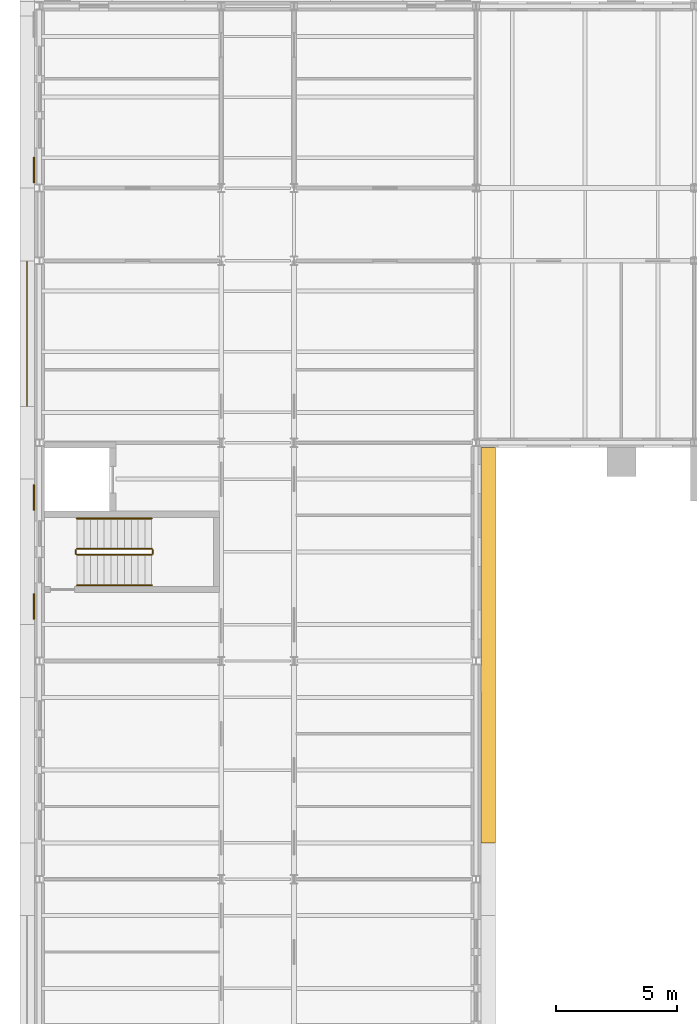
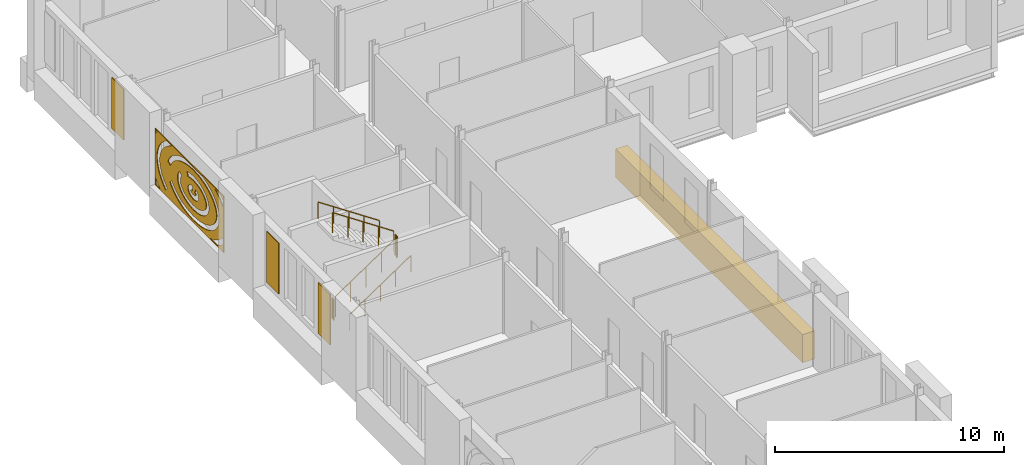
# One storey, part 119 of 134: 6 railings, 5 coverings.
"""IFC4 building model written with IfcOpenShell, lengths in metres."""

from ifc_helpers import new_model, si_unit, direction, frame, origin, origin_2d, place, context, subcontext, project, spatial, polyline, circle, outline, extrude, material, layer, layer_set, type_object, element, save


model = new_model("IFC4")

# Units and contexts
model_context = context("Model", 3, precision=1e-05, world=origin(), true_north=direction((0.0, 1.0)))
body_context = subcontext(model_context, "Body", "Model", "MODEL_VIEW")
ifc_project = project(units=[si_unit("LENGTHUNIT", "METRE"), si_unit("AREAUNIT", "SQUARE_METRE"), si_unit("VOLUMEUNIT", "CUBIC_METRE"), si_unit("PLANEANGLEUNIT", "RADIAN"), si_unit("MASSUNIT", "GRAM", prefix="KILO")], contexts=[model_context])

# Site, building, storey
site_placement = place(None, origin())
site = spatial("IfcSite", under=ifc_project, at=site_placement, CompositionType="ELEMENT")
building_placement = place(site_placement, origin())
building = spatial("IfcBuilding", under=site, at=building_placement, Name="Golden Quay Civic Hall", CompositionType="ELEMENT")
storey_placement = place(building_placement, frame((0.0, 0.0, 5.39990234375)))
storey = spatial("IfcBuildingStorey", under=building, at=storey_placement, Name="L01", CompositionType="ELEMENT", Elevation=5.39990234375)

# Covering
ifc_material_1 = material(Name="Aluminium, golden anodised, perforated", Category="aluminium")
ifc_layer_1 = layer(ifc_material_1, 0.0400390625)
ifc_layer_set_1 = layer_set([ifc_layer_1], Name="Perforated screen panel 6000 x 3000 x 40")
covering_type_1 = type_object("IfcCoveringType", Name="Perforated screen panel 6000 x 3000 x 40", PredefinedType="CLADDING", material=ifc_layer_set_1)
covering_1_placement = place(storey_placement, frame((-0.5, 67.5, 2.10009765625), z_axis=(-1.0, 0.0, 0.0), x_axis=(0.0, -1.0, 0.0)))
element("IfcCovering", 1, at=covering_1_placement, inside=storey, type_object=covering_type_1, Name="Perforated screen panel 6000 x 3000 x 40 L01 3", PredefinedType="CLADDING", context=body_context, shape_type="SweptSolid", body=[
    extrude(outline(polyline([(-3.0, -1.5), (3.0, -1.5), (3.0, 1.5), (-3.0, 1.5), (-3.0, -1.5)]), holes=[polyline([(0.258056640625, 0.16650390625), (0.1943359375, 0.14599609375), (0.162109375, 0.12841796875), (0.139404296875, 0.110595703125), (0.126708984375, 0.095458984375), (0.120849609375, 0.080078125), (0.1259765625, 0.065673828125), (0.1376953125, 0.051025390625), (0.174072265625, 0.0244140625), (0.210205078125, 0.007568359375), (0.277587890625, -0.010498046875), (0.327880859375, -0.015869140625), (0.379150390625, -0.015380859375), (0.45263671875, -0.004150390625), (0.495361328125, 0.009765625), (0.544189453125, 0.035888671875), (0.564453125, 0.05322265625), (0.574951171875, 0.0673828125), (0.5791015625, 0.07861328125), (0.57568359375, 0.09130859375), (0.55810546875, 0.11279296875), (0.5341796875, 0.130859375), (0.4765625, 0.1572265625), (0.562744140625, 0.38232421875), (0.633056640625, 0.351806640625), (0.68798828125, 0.317626953125), (0.742431640625, 0.269287109375), (0.77392578125, 0.22900390625), (0.801513671875, 0.176513671875), (0.816650390625, 0.123291015625), (0.81982421875, 0.064697265625), (0.810302734375, 0.009521484375), (0.797607421875, -0.02587890625), (0.780517578125, -0.05859375), (0.759765625, -0.0888671875), (0.735595703125, -0.1162109375), (0.708984375, -0.14111328125), (0.6572265625, -0.177978515625), (0.581298828125, -0.21533203125), (0.54541015625, -0.22802734375), (0.477294921875, -0.245361328125), (0.3916015625, -0.256103515625), (0.319091796875, -0.256591796875), (0.272705078125, -0.2529296875), (0.2021484375, -0.240966796875), (0.164794921875, -0.231201171875), (0.093505859375, -0.20458984375), (0.0283203125, -0.1689453125), (-0.02880859375, -0.123291015625), (-0.06201171875, -0.085693359375), (-0.093505859375, -0.034912109375), (-0.1123046875, 0.016357421875), (-0.1201171875, 0.074462890625), (-0.115234375, 0.130615234375), (-0.097412109375, 0.186767578125), (-0.0712890625, 0.23291015625), (-0.03271484375, 0.279296875), (0.025390625, 0.326904296875), (0.066162109375, 0.351318359375), (0.135009765625, 0.381591796875), (0.201904296875, 0.40087890625), (0.27978515625, 0.413818359375), (0.310546875, 0.1748046875), (0.258056640625, 0.16650390625)]), polyline([(-0.724609375, 0.27685546875), (-0.746826171875, 0.232421875), (-0.76318359375, 0.187744140625), (-0.773681640625, 0.143310546875), (-0.77880859375, 0.09912109375), (-0.778564453125, 0.05517578125), (-0.772705078125, 0.010986328125), (-0.761474609375, -0.033447265625), (-0.744384765625, -0.078125), (-0.721435546875, -0.122802734375), (-0.6923828125, -0.167236328125), (-0.6572265625, -0.211181640625), (-0.61572265625, -0.254150390625), (-0.568603515625, -0.2958984375), (-0.515380859375, -0.3359375), (-0.456787109375, -0.373779296875), (-0.392822265625, -0.409423828125), (-0.32421875, -0.44189453125), (-0.251220703125, -0.4716796875), (-0.17431640625, -0.497802734375), (-0.093994140625, -0.5205078125), (-0.010986328125, -0.539306640625), (0.07470703125, -0.55419921875), (0.161865234375, -0.565185546875), (0.250244140625, -0.572021484375), (0.339599609375, -0.574462890625), (0.4287109375, -0.572998046875), (0.517333984375, -0.567138671875), (0.60498046875, -0.55712890625), (0.69091796875, -0.543212890625), (0.774658203125, -0.525146484375), (0.855712890625, -0.50341796875), (0.933349609375, -0.47802734375), (1.00732421875, -0.44921875), (1.0771484375, -0.417236328125), (1.14208984375, -0.382568359375), (1.201904296875, -0.34521484375), (1.256591796875, -0.305419921875), (1.30517578125, -0.26416015625), (1.347900390625, -0.221435546875), (1.384521484375, -0.177490234375), (1.4150390625, -0.13330078125), (1.439453125, -0.088623046875), (1.4580078125, -0.0439453125), (1.470458984375, 0.00048828125), (1.4775390625, 0.044677734375), (1.479248046875, 0.0888671875), (1.475341796875, 0.1328125), (1.46630859375, 0.17724609375), (1.451171875, 0.2216796875), (1.430419921875, 0.266357421875), (1.40380859375, 0.310791015625), (1.370849609375, 0.35498046875), (1.331787109375, 0.3984375), (1.28662109375, 0.44091796875), (1.235595703125, 0.4814453125), (1.178955078125, 0.520263671875), (1.116943359375, 0.556640625), (1.0498046875, 0.59033203125), (0.978515625, 0.62109375), (0.90283203125, 0.648681640625), (0.82373046875, 0.672607421875), (0.74169921875, 0.69287109375), (0.656982421875, 0.709228515625), (0.5703125, 0.7216796875), (0.482177734375, 0.72998046875), (0.393310546875, 0.73388671875), (0.303955078125, 0.73388671875), (0.215087890625, 0.729736328125), (0.126953125, 0.72119140625), (0.040283203125, 0.708740234375), (-0.044189453125, 0.692138671875), (-0.12939453125, 0.671142578125), (-0.1875, 0.90478515625), (-0.093505859375, 0.927978515625), (0.0029296875, 0.94677734375), (0.101318359375, 0.960693359375), (0.195068359375, 0.9697265625), (0.29541015625, 0.974609375), (0.39599609375, 0.974853515625), (0.49609375, 0.970458984375), (0.595703125, 0.961181640625), (0.69970703125, 0.9462890625), (0.790283203125, 0.9287109375), (0.884521484375, 0.90576171875), (0.975830078125, 0.878173828125), (1.0703125, 0.84375), (1.1484375, 0.810302734375), (1.228759765625, 0.77001953125), (1.304443359375, 0.725830078125), (1.375244140625, 0.677978515625), (1.4404296875, 0.626220703125), (1.50732421875, 0.5634765625), (1.560546875, 0.50341796875), (1.600341796875, 0.4501953125), (1.64013671875, 0.385009765625), (1.672607421875, 0.317138671875), (1.700439453125, 0.2333984375), (1.71484375, 0.16064453125), (1.72021484375, 0.08740234375), (1.716552734375, 0.013916015625), (1.7041015625, -0.05859375), (1.68310546875, -0.129638671875), (1.65966796875, -0.1865234375), (1.62353515625, -0.254150390625), (1.572998046875, -0.327880859375), (1.522216796875, -0.387939453125), (1.46484375, -0.444580078125), (1.408935546875, -0.4921875), (1.333251953125, -0.54736328125), (1.259521484375, -0.593017578125), (1.1875, -0.63134765625), (1.09814453125, -0.672607421875), (1.011474609375, -0.7060546875), (0.921142578125, -0.7353515625), (0.833984375, -0.7587890625), (0.732666015625, -0.780517578125), (0.635009765625, -0.796142578125), (0.54150390625, -0.806884765625), (0.435791015625, -0.813720703125), (0.341064453125, -0.8154296875), (0.240478515625, -0.8125), (0.135009765625, -0.804443359375), (0.041748046875, -0.79296875), (-0.055419921875, -0.776123046875), (-0.150390625, -0.754638671875), (-0.242919921875, -0.728759765625), (-0.33837890625, -0.696044921875), (-0.41796875, -0.6640625), (-0.499755859375, -0.625244140625), (-0.583984375, -0.578369140625), (-0.64990234375, -0.535888671875), (-0.71728515625, -0.485595703125), (-0.7861328125, -0.424560546875), (-0.834716796875, -0.3740234375), (-0.884033203125, -0.313232421875), (-0.9326171875, -0.23828125), (-0.961669921875, -0.182373046875), (-0.989013671875, -0.113037109375), (-1.010498046875, -0.027587890625), (-1.018310546875, 0.031005859375), (-1.019775390625, 0.1044921875), (-1.009765625, 0.192138671875), (-0.99169921875, 0.263916015625), (-0.970703125, 0.3212890625), (-0.931396484375, 0.400634765625), (-0.889892578125, 0.465087890625), (-0.8486328125, 0.51806640625), (-0.65869140625, 0.36962890625), (-0.696533203125, 0.3212890625), (-0.724609375, 0.27685546875)]), polyline([(-1.382568359375, -0.546630859375), (-1.3115234375, -0.611572265625), (-1.2333984375, -0.673828125), (-1.1484375, -0.7333984375), (-1.05712890625, -0.789794921875), (-0.959716796875, -0.843017578125), (-0.856201171875, -0.89208984375), (-0.747802734375, -0.937255859375), (-0.634521484375, -0.978271484375), (-0.51708984375, -1.0146484375), (-0.3955078125, -1.04638671875), (-0.27099609375, -1.073486328125), (-0.143798828125, -1.095703125), (-0.014404296875, -1.112548828125), (0.11669921875, -1.12451171875), (0.248779296875, -1.131103515625), (0.38134765625, -1.13232421875), (0.513671875, -1.12841796875), (0.645263671875, -1.119384765625), (0.775634765625, -1.105224609375), (0.904052734375, -1.085693359375), (1.0302734375, -1.061279296875), (1.1533203125, -1.031982421875), (1.27294921875, -0.998046875), (1.388671875, -0.95947265625), (1.499755859375, -0.91650390625), (1.605712890625, -0.869384765625), (1.706298828125, -0.818359375), (1.801025390625, -0.763671875), (1.889404296875, -0.705810546875), (1.97119140625, -0.644775390625), (2.0458984375, -0.581298828125), (2.113525390625, -0.51513671875), (2.173583984375, -0.447509765625), (2.22607421875, -0.3779296875), (2.270751953125, -0.307373046875), (2.3076171875, -0.236083984375), (2.3369140625, -0.163818359375), (2.3583984375, -0.091552734375), (2.37255859375, -0.018798828125), (2.37890625, 0.0537109375), (2.3779296875, 0.12646484375), (2.369384765625, 0.19921875), (2.353271484375, 0.271728515625), (2.32958984375, 0.343994140625), (2.298095703125, 0.416015625), (2.259033203125, 0.4873046875), (2.212158203125, 0.5576171875), (2.157470703125, 0.62646484375), (2.095458984375, 0.69384765625), (2.02587890625, 0.75927734375), (1.94921875, 0.822021484375), (1.865478515625, 0.882080078125), (1.775146484375, 0.939208984375), (1.6787109375, 0.992919921875), (1.57666015625, 1.04296875), (1.468994140625, 1.0888671875), (1.356689453125, 1.130615234375), (1.239990234375, 1.168212890625), (1.119384765625, 1.20068359375), (0.995361328125, 1.228759765625), (0.868408203125, 1.251708984375), (0.739501953125, 1.269775390625), (0.608642578125, 1.282470703125), (0.476806640625, 1.2900390625), (0.34423828125, 1.29248046875), (0.2119140625, 1.289794921875), (0.080078125, 1.281494140625), (-0.05078125, 1.268310546875), (-0.1796875, 1.25), (-0.30615234375, 1.2265625), (-0.429931640625, 1.197998046875), (-0.55029296875, 1.1650390625), (-0.666748046875, 1.127197265625), (-0.77880859375, 1.085205078125), (-0.8857421875, 1.038818359375), (-0.9873046875, 0.988525390625), (-1.083251953125, 0.9345703125), (-1.173095703125, 0.877197265625), (-1.256103515625, 0.816650390625), (-1.33203125, 0.753662109375), (-1.401123046875, 0.68798828125), (-1.462646484375, 0.62060546875), (-1.5166015625, 0.551513671875), (-1.562744140625, 0.481201171875), (-1.60107421875, 0.409912109375), (-1.634033203125, 0.33251953125), (-1.855712890625, 0.42724609375), (-1.81591796875, 0.519287109375), (-1.766845703125, 0.60888671875), (-1.70947265625, 0.69580078125), (-1.649658203125, 0.7724609375), (-1.576171875, 0.853515625), (-1.4951171875, 0.930908203125), (-1.40673828125, 1.004638671875), (-1.311767578125, 1.07421875), (-1.210205078125, 1.13916015625), (-1.102783203125, 1.199951171875), (-0.98974609375, 1.256103515625), (-0.87158203125, 1.307373046875), (-0.748779296875, 1.353759765625), (-0.6220703125, 1.39501953125), (-0.452880859375, 1.43994140625), (1.153564453125, 1.43994140625), (1.310791015625, 1.398193359375), (1.432861328125, 1.359375), (1.555908203125, 1.313720703125), (1.67431640625, 1.26318359375), (1.78759765625, 1.2080078125), (1.895263671875, 1.148193359375), (1.997314453125, 1.083984375), (2.0927734375, 1.015380859375), (2.181640625, 0.94287109375), (2.269287109375, 0.8603515625), (2.337646484375, 0.78662109375), (2.404052734375, 0.703125), (2.46240234375, 0.61669921875), (2.511962890625, 0.527099609375), (2.556640625, 0.424560546875), (2.583984375, 0.34130859375), (2.605712890625, 0.245361328125), (2.61865234375, 0.13623046875), (2.619384765625, 0.038818359375), (2.610107421875, -0.058349609375), (2.591064453125, -0.154541015625), (2.566162109375, -0.23828125), (2.52880859375, -0.331787109375), (2.47705078125, -0.431884765625), (2.421142578125, -0.519287109375), (2.36279296875, -0.596435546875), (2.284912109375, -0.6845703125), (2.205078125, -0.761962890625), (2.118408203125, -0.835693359375), (2.030517578125, -0.90087890625), (1.92431640625, -0.970703125), (1.818115234375, -1.03173828125), (1.706298828125, -1.08837890625), (1.5947265625, -1.1376953125), (1.467529296875, -1.18701171875), (1.341552734375, -1.22900390625), (1.216796875, -1.264404296875), (1.07861328125, -1.29736328125), (0.9423828125, -1.323486328125), (0.80908203125, -1.34375), (0.664306640625, -1.359619140625), (0.52294921875, -1.369140625), (0.385986328125, -1.373291015625), (0.239013671875, -1.37158203125), (0.102294921875, -1.36474609375), (-0.038330078125, -1.352294921875), (-0.182373046875, -1.33349609375), (-0.314697265625, -1.310546875), (-0.44921875, -1.281494140625), (-0.585693359375, -1.24560546875), (-0.70849609375, -1.20751953125), (-0.83251953125, -1.162841796875), (-0.957275390625, -1.11083984375), (-1.066162109375, -1.05908203125), (-1.175048828125, -1.0), (-1.278076171875, -0.9365234375), (-1.375, -0.868896484375), (-1.47119140625, -0.7919921875), (-1.548095703125, -0.7216796875), (-1.623779296875, -0.64208984375), (-1.69189453125, -0.5595703125), (-1.505126953125, -0.4072265625), (-1.446044921875, -0.4794921875), (-1.382568359375, -0.546630859375)]), polyline([(1.931396484375, -1.407958984375), (2.066162109375, -1.35205078125), (2.19580078125, -1.291748046875), (2.3193359375, -1.22705078125), (2.436767578125, -1.15869140625), (2.547607421875, -1.086669921875), (2.6513671875, -1.010986328125), (2.747802734375, -0.932373046875), (2.8369140625, -0.85107421875), (2.93994140625, -0.741455078125), (2.93994140625, -1.083251953125), (2.80078125, -1.199951171875), (2.681640625, -1.28662109375), (2.560791015625, -1.365234375), (2.43212890625, -1.43994140625), (1.843994140625, -1.43994140625), (1.931396484375, -1.407958984375)]), polyline([(2.88818359375, 0.958984375), (2.80419921875, 1.042236328125), (2.712158203125, 1.12255859375), (2.61279296875, 1.199951171875), (2.50634765625, 1.2744140625), (2.39306640625, 1.34521484375), (2.21728515625, 1.43994140625), (2.68994140625, 1.43994140625), (2.75341796875, 1.395751953125), (2.863037109375, 1.310302734375), (2.93994140625, 1.243408203125), (2.93994140625, 0.9013671875), (2.88818359375, 0.958984375)]), polyline([(-1.6171875, 1.388427734375), (-1.734619140625, 1.320068359375), (-1.845703125, 1.247802734375), (-1.949462890625, 1.172607421875), (-2.046142578125, 1.093994140625), (-2.135498046875, 1.012451171875), (-2.216796875, 0.9287109375), (-2.2900390625, 0.842529296875), (-2.35546875, 0.754638671875), (-2.412353515625, 0.665283203125), (-2.461181640625, 0.574462890625), (-2.50146484375, 0.48291015625), (-2.533203125, 0.390380859375), (-2.556884765625, 0.297607421875), (-2.572021484375, 0.2041015625), (-2.5791015625, 0.11083984375), (-2.57763671875, 0.017333984375), (-2.56787109375, -0.076171875), (-2.5498046875, -0.169189453125), (-2.5234375, -0.261962890625), (-2.488525390625, -0.354248046875), (-2.4453125, -0.445556640625), (-2.393798828125, -0.535888671875), (-2.333984375, -0.625), (-2.26611328125, -0.712158203125), (-2.189697265625, -0.797607421875), (-2.105712890625, -0.880615234375), (-2.013916015625, -0.961181640625), (-1.912353515625, -1.04052734375), (-2.060546875, -1.23046875), (-2.17041015625, -1.14453125), (-2.2724609375, -1.054443359375), (-2.366943359375, -0.960693359375), (-2.45361328125, -0.863525390625), (-2.526611328125, -0.769775390625), (-2.59619140625, -0.666748046875), (-2.656982421875, -0.56103515625), (-2.70849609375, -0.45263671875), (-2.75048828125, -0.34228515625), (-2.782958984375, -0.230224609375), (-2.806884765625, -0.106201171875), (-2.818359375, 0.00830078125), (-2.819580078125, 0.123291015625), (-2.810791015625, 0.23779296875), (-2.793701171875, 0.34130859375), (-2.765625, 0.45458984375), (-2.7275390625, 0.566162109375), (-2.6796875, 0.67578125), (-2.617919921875, 0.791015625), (-2.551513671875, 0.894775390625), (-2.47607421875, 0.995849609375), (-2.392333984375, 1.093505859375), (-2.300537109375, 1.18798828125), (-2.2060546875, 1.274169921875), (-2.098876953125, 1.361572265625), (-1.9912109375, 1.43994140625), (-1.51806640625, 1.43994140625), (-1.6171875, 1.388427734375)]), polyline([(-2.8173828125, 1.384033203125), (-2.91796875, 1.289306640625), (-2.93994140625, 1.26611328125), (-2.93994140625, 1.43994140625), (-2.751708984375, 1.43994140625), (-2.8173828125, 1.384033203125)]), polyline([(-2.93994140625, -1.10595703125), (-2.81689453125, -1.224609375), (-2.708740234375, -1.316650390625), (-2.543701171875, -1.43994140625), (-2.935302734375, -1.43994140625), (-2.93994140625, -1.43603515625), (-2.93994140625, -1.10595703125)])]), origin(), (0.0, 0.0, 1.0), 0.0400390625),
])

# Railings
ifc_material_2 = material(Name="Steel S355", Category="steel")
railing_type_1 = type_object("IfcRailingType", Name="Steel guard 1100", PredefinedType="GUARDRAIL", material=ifc_material_2)
railing_1_placement = place(storey_placement, frame((1.550048828125, 58.375, 0.1875)))
element("IfcRailing", 2, at=railing_1_placement, inside=storey, type_object=railing_type_1, Name="L01 WO-N stair guard 1", PredefinedType="GUARDRAIL", context=body_context, shape_type="SweptSolid", body=[
    extrude(circle(Radius=0.02392578125, at=origin_2d()), frame((0.0, 0.0, 1.076171875), z_axis=(0.830893310487, 0.0, 0.556431762742), x_axis=(0.0, 1.0, 0.0)), (0.0, 0.0, 1.0), 3.70654296875),
    extrude(circle(Radius=0.02099609375, at=origin_2d()), origin(), (0.0, 0.0, 1.0), 1.052001953125),
    extrude(circle(Radius=0.02099609375, at=origin_2d()), frame((0.77001953125, 0.0, 0.515625)), (0.0, 0.0, 1.0), 1.052001953125),
    extrude(circle(Radius=0.02099609375, at=origin_2d()), frame((1.5400390625, 0.0, 1.03125)), (0.0, 0.0, 1.0), 1.052001953125),
    extrude(circle(Radius=0.02099609375, at=origin_2d()), frame((2.309814453125, 0.0, 1.546875)), (0.0, 0.0, 1.0), 1.052001953125),
    extrude(circle(Radius=0.02099609375, at=origin_2d()), frame((3.079833984375, 0.0, 2.0625)), (0.0, 0.0, 1.0), 1.052001953125),
])
railing_2_placement = place(storey_placement, frame((4.679931640625, 58.425048828125, 2.25)))
element("IfcRailing", 3, at=railing_2_placement, inside=storey, type_object=railing_type_1, Name="L01 WO-N stair guard 2", PredefinedType="GUARDRAIL", context=body_context, shape_type="SweptSolid", body=[
    extrude(circle(Radius=0.02392578125, at=origin_2d()), frame((0.0, 0.0, 1.076171875), z_axis=(0.0, 1.0, 0.0), x_axis=(-1.0, 0.0, 0.0)), (0.0, 0.0, 1.0), 0.14990234375),
    extrude(circle(Radius=0.02099609375, at=origin_2d()), origin(), (0.0, 0.0, 1.0), 1.052001953125),
    extrude(circle(Radius=0.02099609375, at=origin_2d()), frame((0.0, 0.14990234375, 0.0)), (0.0, 0.0, 1.0), 1.052001953125),
])
railing_3_placement = place(storey_placement, frame((4.6298828125, 58.625, 2.4375)))
element("IfcRailing", 4, at=railing_3_placement, inside=storey, type_object=railing_type_1, Name="L01 WO-N stair guard 3", PredefinedType="GUARDRAIL", context=body_context, shape_type="SweptSolid", body=[
    extrude(circle(Radius=0.02392578125, at=origin_2d()), frame((0.0, 0.0, 1.076171875), z_axis=(-0.830893310487, 0.0, 0.556431762742), x_axis=(0.0, -1.0, 0.0)), (0.0, 0.0, 1.0), 3.70654296875),
    extrude(circle(Radius=0.02099609375, at=origin_2d()), origin(), (0.0, 0.0, 1.0), 1.052001953125),
    extrude(circle(Radius=0.02099609375, at=origin_2d()), frame((-0.77001953125, 0.0, 0.515625)), (0.0, 0.0, 1.0), 1.052001953125),
    extrude(circle(Radius=0.02099609375, at=origin_2d()), frame((-1.5400390625, 0.0, 1.03125)), (0.0, 0.0, 1.0), 1.052001953125),
    extrude(circle(Radius=0.02099609375, at=origin_2d()), frame((-2.309814453125, 0.0, 1.546875)), (0.0, 0.0, 1.0), 1.052001953125),
    extrude(circle(Radius=0.02099609375, at=origin_2d()), frame((-3.079833984375, 0.0, 2.0625)), (0.0, 0.0, 1.0), 1.052001953125),
])
railing_4_placement = place(storey_placement, frame((1.5, 58.425048828125, 0.0)))
element("IfcRailing", 5, at=railing_4_placement, inside=storey, type_object=railing_type_1, Name="L01 WO-N stair guard 4", PredefinedType="GUARDRAIL", context=body_context, shape_type="SweptSolid", body=[
    extrude(circle(Radius=0.02392578125, at=origin_2d()), frame((0.0, 0.0, 1.076171875), z_axis=(0.0, 1.0, 0.0), x_axis=(-1.0, 0.0, 0.0)), (0.0, 0.0, 1.0), 0.14990234375),
    extrude(circle(Radius=0.02099609375, at=origin_2d()), origin(), (0.0, 0.0, 1.0), 1.052001953125),
    extrude(circle(Radius=0.02099609375, at=origin_2d()), frame((0.0, 0.14990234375, 0.0)), (0.0, 0.0, 1.0), 1.052001953125),
])
ifc_material_3 = material(Name="Steel S355", Category="steel")
railing_type_2 = type_object("IfcRailingType", Name="Steel handrail 900", PredefinedType="HANDRAIL", material=ifc_material_3)
railing_5_placement = place(storey_placement, frame((1.550048828125, 57.125, 0.1875)))
element("IfcRailing", 6, at=railing_5_placement, inside=storey, type_object=railing_type_2, Name="L01 WO-N stair handrail 1", PredefinedType="HANDRAIL", context=body_context, shape_type="SweptSolid", body=[
    extrude(circle(Radius=0.02392578125, at=origin_2d()), frame((0.0, 0.0, 0.8759765625), z_axis=(0.830893310487, 0.0, 0.556431762742), x_axis=(0.0, 1.0, 0.0)), (0.0, 0.0, 1.0), 3.70654296875),
    extrude(circle(Radius=0.02099609375, at=origin_2d()), origin(), (0.0, 0.0, 1.0), 0.851806640625),
    extrude(circle(Radius=0.02099609375, at=origin_2d()), frame((0.77001953125, 0.0, 0.515625)), (0.0, 0.0, 1.0), 0.851806640625),
    extrude(circle(Radius=0.02099609375, at=origin_2d()), frame((1.5400390625, 0.0, 1.03125)), (0.0, 0.0, 1.0), 0.851806640625),
    extrude(circle(Radius=0.02099609375, at=origin_2d()), frame((2.309814453125, 0.0, 1.546875)), (0.0, 0.0, 1.0), 0.851806640625),
    extrude(circle(Radius=0.02099609375, at=origin_2d()), frame((3.079833984375, 0.0, 2.0625)), (0.0, 0.0, 1.0), 0.851806640625),
])
railing_6_placement = place(storey_placement, frame((4.6298828125, 59.875, 2.4375)))
element("IfcRailing", 7, at=railing_6_placement, inside=storey, type_object=railing_type_2, Name="L01 WO-N stair handrail 2", PredefinedType="HANDRAIL", context=body_context, shape_type="SweptSolid", body=[
    extrude(circle(Radius=0.02392578125, at=origin_2d()), frame((0.0, 0.0, 0.8759765625), z_axis=(-0.830893310487, 0.0, 0.556431762742), x_axis=(0.0, -1.0, 0.0)), (0.0, 0.0, 1.0), 3.70654296875),
    extrude(circle(Radius=0.02099609375, at=origin_2d()), origin(), (0.0, 0.0, 1.0), 0.851806640625),
    extrude(circle(Radius=0.02099609375, at=origin_2d()), frame((-0.77001953125, 0.0, 0.515625)), (0.0, 0.0, 1.0), 0.851806640625),
    extrude(circle(Radius=0.02099609375, at=origin_2d()), frame((-1.5400390625, 0.0, 1.03125)), (0.0, 0.0, 1.0), 0.851806640625),
    extrude(circle(Radius=0.02099609375, at=origin_2d()), frame((-2.309814453125, 0.0, 1.546875)), (0.0, 0.0, 1.0), 0.851806640625),
    extrude(circle(Radius=0.02099609375, at=origin_2d()), frame((-3.079833984375, 0.0, 2.0625)), (0.0, 0.0, 1.0), 0.851806640625),
])

# Coverings
ifc_material_4 = material(Name="Terracotta cladding, golden glaze", Category="masonry")
ifc_layer_2 = layer(ifc_material_4, 0.050048828125)
ifc_layer_set_2 = layer_set([ifc_layer_2], Name="Terracotta solid panel 1050 x 2700 x 50")
covering_type_2 = type_object("IfcCoveringType", Name="Terracotta solid panel 1050 x 2700 x 50", PredefinedType="CLADDING", material=ifc_layer_set_2)
covering_2_placement = place(storey_placement, frame((0.0, 0.0, 0.900146484375)))
element("IfcCovering", 8, at=covering_2_placement, inside=storey, type_object=covering_type_2, Name="Terracotta solid panel 1050 x 2700 x 50 L01 4", PredefinedType="CLADDING", context=body_context, shape_type="SweptSolid", body=[
    extrude(outline(polyline([(-0.199951171875, 55.72509765625), (-0.199951171875, 56.77490234375), (-0.25, 56.77490234375), (-0.25, 55.72509765625), (-0.199951171875, 55.72509765625)])), origin(), (0.0, 0.0, 1.0), 2.699951171875),
])
covering_3_placement = place(storey_placement, frame((0.0, 0.0, 0.900146484375)))
element("IfcCovering", 9, at=covering_3_placement, inside=storey, type_object=covering_type_2, Name="Terracotta solid panel 1050 x 2700 x 50 L01 5", PredefinedType="CLADDING", context=body_context, shape_type="SweptSolid", body=[
    extrude(outline(polyline([(-0.199951171875, 60.22509765625), (-0.199951171875, 61.27490234375), (-0.25, 61.27490234375), (-0.25, 60.22509765625), (-0.199951171875, 60.22509765625)])), origin(), (0.0, 0.0, 1.0), 2.699951171875),
])
covering_4_placement = place(storey_placement, frame((0.0, 0.0, 0.900146484375)))
element("IfcCovering", 10, at=covering_4_placement, inside=storey, type_object=covering_type_2, Name="Terracotta solid panel 1050 x 2700 x 50 L01 6", PredefinedType="CLADDING", context=body_context, shape_type="SweptSolid", body=[
    extrude(outline(polyline([(-0.199951171875, 73.72509765625), (-0.199951171875, 74.77490234375), (-0.25, 74.77490234375), (-0.25, 73.72509765625), (-0.199951171875, 73.72509765625)])), origin(), (0.0, 0.0, 1.0), 2.699951171875),
])
ifc_material_5 = material(Name="Terracotta cladding, golden glaze", Category="masonry")
covering_type_3 = type_object("IfcCoveringType", Name="Terracotta spandrel fascia 600 x 1500", PredefinedType="CLADDING", material=ifc_material_5)
covering_5_placement = place(storey_placement, frame((0.0, 0.0, -0.89990234375)))
element("IfcCovering", 11, at=covering_5_placement, inside=storey, type_object=covering_type_3, Name="Terracotta spandrel fascia 600 x 1500 L01 7", PredefinedType="CLADDING", context=body_context, shape_type="SweptSolid", body=[
    extrude(outline(polyline([(18.800048828125, 62.800048828125), (18.800048828125, 46.5), (18.199951171875, 46.5), (18.199951171875, 62.800048828125), (18.800048828125, 62.800048828125)])), origin(), (0.0, 0.0, 1.0), 1.5),
])

save(model, "model.ifc")
